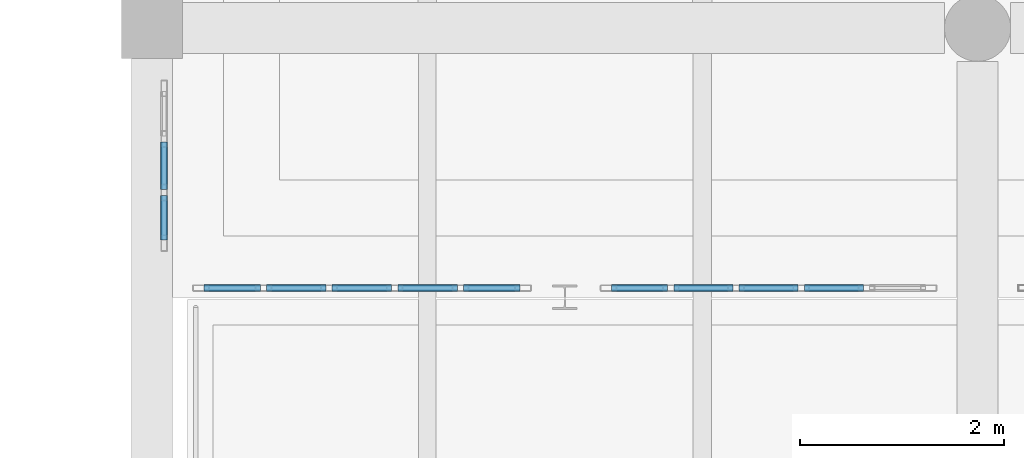
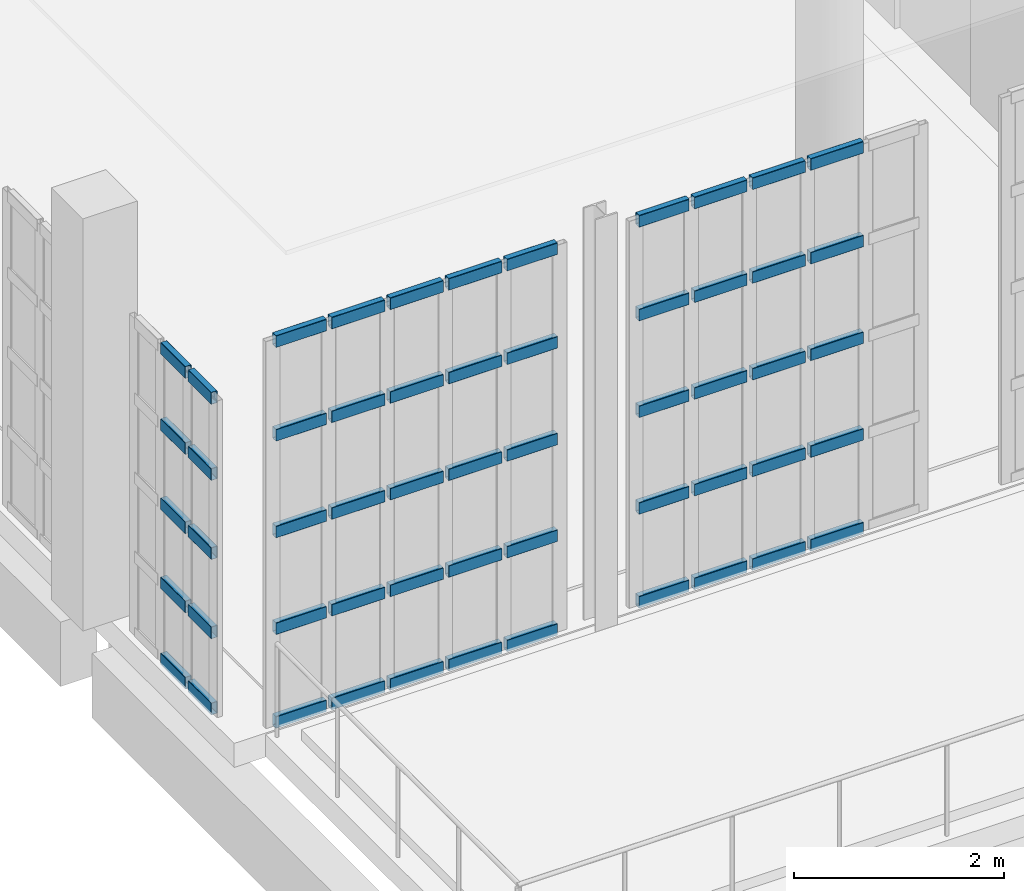
# One storey, part 59 of 104: 55 members, 3 elements without a shape of their own.
"""IFC4 building model written with IfcOpenShell, lengths in metres."""

from ifc_helpers import new_model, si_unit, direction, frame, origin, origin_2d, place, context, subcontext, project, spatial, hollow_rectangle, extrude, material, material_profile, profile_set, type_object, element, aggregate, save


model = new_model("IFC4")

# Units and contexts
model_context = context("Model", 3, precision=1e-05, world=origin(), true_north=direction((0.0, 1.0)))
body_context = subcontext(model_context, "Body", "Model", "MODEL_VIEW")
ifc_project = project(units=[si_unit("LENGTHUNIT", "METRE"), si_unit("AREAUNIT", "SQUARE_METRE"), si_unit("VOLUMEUNIT", "CUBIC_METRE"), si_unit("PLANEANGLEUNIT", "RADIAN"), si_unit("MASSUNIT", "GRAM", prefix="KILO")], contexts=[model_context])

# Site, building, storey
site_placement = place(None, origin())
site = spatial("IfcSite", under=ifc_project, at=site_placement, CompositionType="ELEMENT")
building_placement = place(site_placement, origin())
building = spatial("IfcBuilding", under=site, at=building_placement, Name="Kaelora Sail Theatre", CompositionType="ELEMENT")
storey_placement = place(building_placement, frame((0.0, 0.0, 5.39990234375)))
storey = spatial("IfcBuildingStorey", under=building, at=storey_placement, Name="L01", CompositionType="ELEMENT", Elevation=5.39990234375)

# Curtain wall, members
ifc_material_1 = material(Name="Anodised aluminium and solar-control low-E IGU", Category="aluminium")
curtain_wall_type = type_object("IfcCurtainWallType", Name="ARC-CW-CW-PROW", PredefinedType="NOTDEFINED", material=ifc_material_1)
curtain_wall_1_placement = place(storey_placement, origin())
curtain_wall_1 = element("IfcCurtainWall", 1, at=curtain_wall_1_placement, inside=storey, type_object=curtain_wall_type, Name="East Interstitial Sail Foyer Curtain Wall L01-01", PredefinedType="NOTDEFINED")
ifc_material_2 = material(Name="Anodised aluminium 6063-T6", Category="aluminium")
ifc_material_profile = material_profile(ifc_material_2, hollow_rectangle(XDim=0.070068359375, YDim=0.139892578125, WallThickness=0.00390625, InnerFilletRadius=0.00390625, OuterFilletRadius=0.008056640625, at=origin_2d()), Name="ALU-TRAN 70x140x4")
ifc_profile_set = profile_set([ifc_material_profile], Name="Anodised aluminium 6063-T6")
member_type = type_object("IfcMemberType", Name="ARC-MEM-TR-140", PredefinedType="USERDEFINED", material=ifc_profile_set)
member_1_placement = place(storey_placement, frame((107.31005859375, 43.590087890625, 0.03515625), z_axis=(1.0, 0.0, 0.0), x_axis=(0.0, 1.0, 0.0)))
member_1 = element("IfcMember", 2, at=member_1_placement, type_object=member_type, Name="CW-PROW transom 1.1", ObjectType="TRANSOM", PredefinedType="USERDEFINED", context=body_context, shape_type="SweptSolid", body=[
    extrude(hollow_rectangle(XDim=0.070068359375, YDim=0.139892578125, WallThickness=0.00390625, InnerFilletRadius=0.00390625, OuterFilletRadius=0.008056640625, at=origin_2d()), origin(), (0.0, 0.0, 1.0), 0.553955078125),
])
member_2_placement = place(storey_placement, frame((107.31005859375, 43.590087890625, 1.12646484375), z_axis=(1.0, 0.0, 0.0), x_axis=(0.0, 1.0, 0.0)))
member_2 = element("IfcMember", 3, at=member_2_placement, type_object=member_type, Name="CW-PROW transom 1.2", ObjectType="TRANSOM", PredefinedType="USERDEFINED", context=body_context, shape_type="SweptSolid", body=[
    extrude(hollow_rectangle(XDim=0.070068359375, YDim=0.139892578125, WallThickness=0.00390625, InnerFilletRadius=0.00390625, OuterFilletRadius=0.008056640625, at=origin_2d()), origin(), (0.0, 0.0, 1.0), 0.553955078125),
])
member_3_placement = place(storey_placement, frame((107.31005859375, 43.590087890625, 2.252685546875), z_axis=(1.0, 0.0, 0.0), x_axis=(0.0, 1.0, 0.0)))
member_3 = element("IfcMember", 4, at=member_3_placement, type_object=member_type, Name="CW-PROW transom 1.3", ObjectType="TRANSOM", PredefinedType="USERDEFINED", context=body_context, shape_type="SweptSolid", body=[
    extrude(hollow_rectangle(XDim=0.070068359375, YDim=0.139892578125, WallThickness=0.00390625, InnerFilletRadius=0.00390625, OuterFilletRadius=0.008056640625, at=origin_2d()), origin(), (0.0, 0.0, 1.0), 0.553955078125),
])
member_4_placement = place(storey_placement, frame((107.31005859375, 43.590087890625, 3.37890625), z_axis=(1.0, 0.0, 0.0), x_axis=(0.0, 1.0, 0.0)))
member_4 = element("IfcMember", 5, at=member_4_placement, type_object=member_type, Name="CW-PROW transom 1.4", ObjectType="TRANSOM", PredefinedType="USERDEFINED", context=body_context, shape_type="SweptSolid", body=[
    extrude(hollow_rectangle(XDim=0.070068359375, YDim=0.139892578125, WallThickness=0.00390625, InnerFilletRadius=0.00390625, OuterFilletRadius=0.008056640625, at=origin_2d()), origin(), (0.0, 0.0, 1.0), 0.553955078125),
])
member_5_placement = place(storey_placement, frame((107.31005859375, 43.590087890625, 4.47021484375), z_axis=(1.0, 0.0, 0.0), x_axis=(0.0, 1.0, 0.0)))
member_5 = element("IfcMember", 6, at=member_5_placement, type_object=member_type, Name="CW-PROW transom 1.5", ObjectType="TRANSOM", PredefinedType="USERDEFINED", context=body_context, shape_type="SweptSolid", body=[
    extrude(hollow_rectangle(XDim=0.070068359375, YDim=0.139892578125, WallThickness=0.00390625, InnerFilletRadius=0.00390625, OuterFilletRadius=0.008056640625, at=origin_2d()), origin(), (0.0, 0.0, 1.0), 0.553955078125),
])
member_6_placement = place(storey_placement, frame((107.924072265625, 43.590087890625, 0.03515625), z_axis=(1.0, 0.0, 0.0), x_axis=(0.0, 1.0, 0.0)))
member_6 = element("IfcMember", 7, at=member_6_placement, type_object=member_type, Name="CW-PROW transom 2.1", ObjectType="TRANSOM", PredefinedType="USERDEFINED", context=body_context, shape_type="SweptSolid", body=[
    extrude(hollow_rectangle(XDim=0.070068359375, YDim=0.139892578125, WallThickness=0.00390625, InnerFilletRadius=0.00390625, OuterFilletRadius=0.008056640625, at=origin_2d()), origin(), (0.0, 0.0, 1.0), 0.583984375),
])
member_7_placement = place(storey_placement, frame((107.924072265625, 43.590087890625, 1.12646484375), z_axis=(1.0, 0.0, 0.0), x_axis=(0.0, 1.0, 0.0)))
member_7 = element("IfcMember", 8, at=member_7_placement, type_object=member_type, Name="CW-PROW transom 2.2", ObjectType="TRANSOM", PredefinedType="USERDEFINED", context=body_context, shape_type="SweptSolid", body=[
    extrude(hollow_rectangle(XDim=0.070068359375, YDim=0.139892578125, WallThickness=0.00390625, InnerFilletRadius=0.00390625, OuterFilletRadius=0.008056640625, at=origin_2d()), origin(), (0.0, 0.0, 1.0), 0.583984375),
])
member_8_placement = place(storey_placement, frame((107.924072265625, 43.590087890625, 2.252685546875), z_axis=(1.0, 0.0, 0.0), x_axis=(0.0, 1.0, 0.0)))
member_8 = element("IfcMember", 9, at=member_8_placement, type_object=member_type, Name="CW-PROW transom 2.3", ObjectType="TRANSOM", PredefinedType="USERDEFINED", context=body_context, shape_type="SweptSolid", body=[
    extrude(hollow_rectangle(XDim=0.070068359375, YDim=0.139892578125, WallThickness=0.00390625, InnerFilletRadius=0.00390625, OuterFilletRadius=0.008056640625, at=origin_2d()), origin(), (0.0, 0.0, 1.0), 0.583984375),
])
member_9_placement = place(storey_placement, frame((107.924072265625, 43.590087890625, 3.37890625), z_axis=(1.0, 0.0, 0.0), x_axis=(0.0, 1.0, 0.0)))
member_9 = element("IfcMember", 10, at=member_9_placement, type_object=member_type, Name="CW-PROW transom 2.4", ObjectType="TRANSOM", PredefinedType="USERDEFINED", context=body_context, shape_type="SweptSolid", body=[
    extrude(hollow_rectangle(XDim=0.070068359375, YDim=0.139892578125, WallThickness=0.00390625, InnerFilletRadius=0.00390625, OuterFilletRadius=0.008056640625, at=origin_2d()), origin(), (0.0, 0.0, 1.0), 0.583984375),
])
member_10_placement = place(storey_placement, frame((107.924072265625, 43.590087890625, 4.47021484375), z_axis=(1.0, 0.0, 0.0), x_axis=(0.0, 1.0, 0.0)))
member_10 = element("IfcMember", 11, at=member_10_placement, type_object=member_type, Name="CW-PROW transom 2.5", ObjectType="TRANSOM", PredefinedType="USERDEFINED", context=body_context, shape_type="SweptSolid", body=[
    extrude(hollow_rectangle(XDim=0.070068359375, YDim=0.139892578125, WallThickness=0.00390625, InnerFilletRadius=0.00390625, OuterFilletRadius=0.008056640625, at=origin_2d()), origin(), (0.0, 0.0, 1.0), 0.583984375),
])
member_11_placement = place(storey_placement, frame((108.568115234375, 43.590087890625, 0.03515625), z_axis=(1.0, 0.0, 0.0), x_axis=(0.0, 1.0, 0.0)))
member_11 = element("IfcMember", 12, at=member_11_placement, type_object=member_type, Name="CW-PROW transom 3.1", ObjectType="TRANSOM", PredefinedType="USERDEFINED", context=body_context, shape_type="SweptSolid", body=[
    extrude(hollow_rectangle(XDim=0.070068359375, YDim=0.139892578125, WallThickness=0.00390625, InnerFilletRadius=0.00390625, OuterFilletRadius=0.008056640625, at=origin_2d()), origin(), (0.0, 0.0, 1.0), 0.583984375),
])
member_12_placement = place(storey_placement, frame((108.568115234375, 43.590087890625, 1.12646484375), z_axis=(1.0, 0.0, 0.0), x_axis=(0.0, 1.0, 0.0)))
member_12 = element("IfcMember", 13, at=member_12_placement, type_object=member_type, Name="CW-PROW transom 3.2", ObjectType="TRANSOM", PredefinedType="USERDEFINED", context=body_context, shape_type="SweptSolid", body=[
    extrude(hollow_rectangle(XDim=0.070068359375, YDim=0.139892578125, WallThickness=0.00390625, InnerFilletRadius=0.00390625, OuterFilletRadius=0.008056640625, at=origin_2d()), origin(), (0.0, 0.0, 1.0), 0.583984375),
])
member_13_placement = place(storey_placement, frame((108.568115234375, 43.590087890625, 2.252685546875), z_axis=(1.0, 0.0, 0.0), x_axis=(0.0, 1.0, 0.0)))
member_13 = element("IfcMember", 14, at=member_13_placement, type_object=member_type, Name="CW-PROW transom 3.3", ObjectType="TRANSOM", PredefinedType="USERDEFINED", context=body_context, shape_type="SweptSolid", body=[
    extrude(hollow_rectangle(XDim=0.070068359375, YDim=0.139892578125, WallThickness=0.00390625, InnerFilletRadius=0.00390625, OuterFilletRadius=0.008056640625, at=origin_2d()), origin(), (0.0, 0.0, 1.0), 0.583984375),
])
member_14_placement = place(storey_placement, frame((108.568115234375, 43.590087890625, 3.37890625), z_axis=(1.0, 0.0, 0.0), x_axis=(0.0, 1.0, 0.0)))
member_14 = element("IfcMember", 15, at=member_14_placement, type_object=member_type, Name="CW-PROW transom 3.4", ObjectType="TRANSOM", PredefinedType="USERDEFINED", context=body_context, shape_type="SweptSolid", body=[
    extrude(hollow_rectangle(XDim=0.070068359375, YDim=0.139892578125, WallThickness=0.00390625, InnerFilletRadius=0.00390625, OuterFilletRadius=0.008056640625, at=origin_2d()), origin(), (0.0, 0.0, 1.0), 0.583984375),
])
member_15_placement = place(storey_placement, frame((108.568115234375, 43.590087890625, 4.47021484375), z_axis=(1.0, 0.0, 0.0), x_axis=(0.0, 1.0, 0.0)))
member_15 = element("IfcMember", 16, at=member_15_placement, type_object=member_type, Name="CW-PROW transom 3.5", ObjectType="TRANSOM", PredefinedType="USERDEFINED", context=body_context, shape_type="SweptSolid", body=[
    extrude(hollow_rectangle(XDim=0.070068359375, YDim=0.139892578125, WallThickness=0.00390625, InnerFilletRadius=0.00390625, OuterFilletRadius=0.008056640625, at=origin_2d()), origin(), (0.0, 0.0, 1.0), 0.583984375),
])
member_16_placement = place(storey_placement, frame((109.2119140625, 43.590087890625, 0.03515625), z_axis=(1.0, 0.0, 0.0), x_axis=(0.0, 1.0, 0.0)))
member_16 = element("IfcMember", 17, at=member_16_placement, type_object=member_type, Name="CW-PROW transom 4.1", ObjectType="TRANSOM", PredefinedType="USERDEFINED", context=body_context, shape_type="SweptSolid", body=[
    extrude(hollow_rectangle(XDim=0.070068359375, YDim=0.139892578125, WallThickness=0.00390625, InnerFilletRadius=0.00390625, OuterFilletRadius=0.008056640625, at=origin_2d()), origin(), (0.0, 0.0, 1.0), 0.583984375),
])
member_17_placement = place(storey_placement, frame((109.2119140625, 43.590087890625, 1.12646484375), z_axis=(1.0, 0.0, 0.0), x_axis=(0.0, 1.0, 0.0)))
member_17 = element("IfcMember", 18, at=member_17_placement, type_object=member_type, Name="CW-PROW transom 4.2", ObjectType="TRANSOM", PredefinedType="USERDEFINED", context=body_context, shape_type="SweptSolid", body=[
    extrude(hollow_rectangle(XDim=0.070068359375, YDim=0.139892578125, WallThickness=0.00390625, InnerFilletRadius=0.00390625, OuterFilletRadius=0.008056640625, at=origin_2d()), origin(), (0.0, 0.0, 1.0), 0.583984375),
])
member_18_placement = place(storey_placement, frame((109.2119140625, 43.590087890625, 2.252685546875), z_axis=(1.0, 0.0, 0.0), x_axis=(0.0, 1.0, 0.0)))
member_18 = element("IfcMember", 19, at=member_18_placement, type_object=member_type, Name="CW-PROW transom 4.3", ObjectType="TRANSOM", PredefinedType="USERDEFINED", context=body_context, shape_type="SweptSolid", body=[
    extrude(hollow_rectangle(XDim=0.070068359375, YDim=0.139892578125, WallThickness=0.00390625, InnerFilletRadius=0.00390625, OuterFilletRadius=0.008056640625, at=origin_2d()), origin(), (0.0, 0.0, 1.0), 0.583984375),
])
member_19_placement = place(storey_placement, frame((109.2119140625, 43.590087890625, 3.37890625), z_axis=(1.0, 0.0, 0.0), x_axis=(0.0, 1.0, 0.0)))
member_19 = element("IfcMember", 20, at=member_19_placement, type_object=member_type, Name="CW-PROW transom 4.4", ObjectType="TRANSOM", PredefinedType="USERDEFINED", context=body_context, shape_type="SweptSolid", body=[
    extrude(hollow_rectangle(XDim=0.070068359375, YDim=0.139892578125, WallThickness=0.00390625, InnerFilletRadius=0.00390625, OuterFilletRadius=0.008056640625, at=origin_2d()), origin(), (0.0, 0.0, 1.0), 0.583984375),
])
member_20_placement = place(storey_placement, frame((109.2119140625, 43.590087890625, 4.47021484375), z_axis=(1.0, 0.0, 0.0), x_axis=(0.0, 1.0, 0.0)))
member_20 = element("IfcMember", 21, at=member_20_placement, type_object=member_type, Name="CW-PROW transom 4.5", ObjectType="TRANSOM", PredefinedType="USERDEFINED", context=body_context, shape_type="SweptSolid", body=[
    extrude(hollow_rectangle(XDim=0.070068359375, YDim=0.139892578125, WallThickness=0.00390625, InnerFilletRadius=0.00390625, OuterFilletRadius=0.008056640625, at=origin_2d()), origin(), (0.0, 0.0, 1.0), 0.583984375),
])
member_21_placement = place(storey_placement, frame((109.85595703125, 43.590087890625, 0.03515625), z_axis=(1.0, 0.0, 0.0), x_axis=(0.0, 1.0, 0.0)))
member_21 = element("IfcMember", 22, at=member_21_placement, type_object=member_type, Name="CW-PROW transom 5.1", ObjectType="TRANSOM", PredefinedType="USERDEFINED", context=body_context, shape_type="SweptSolid", body=[
    extrude(hollow_rectangle(XDim=0.070068359375, YDim=0.139892578125, WallThickness=0.00390625, InnerFilletRadius=0.00390625, OuterFilletRadius=0.008056640625, at=origin_2d()), origin(), (0.0, 0.0, 1.0), 0.553955078125),
])
member_22_placement = place(storey_placement, frame((109.85595703125, 43.590087890625, 1.12646484375), z_axis=(1.0, 0.0, 0.0), x_axis=(0.0, 1.0, 0.0)))
member_22 = element("IfcMember", 23, at=member_22_placement, type_object=member_type, Name="CW-PROW transom 5.2", ObjectType="TRANSOM", PredefinedType="USERDEFINED", context=body_context, shape_type="SweptSolid", body=[
    extrude(hollow_rectangle(XDim=0.070068359375, YDim=0.139892578125, WallThickness=0.00390625, InnerFilletRadius=0.00390625, OuterFilletRadius=0.008056640625, at=origin_2d()), origin(), (0.0, 0.0, 1.0), 0.553955078125),
])
member_23_placement = place(storey_placement, frame((109.85595703125, 43.590087890625, 2.252685546875), z_axis=(1.0, 0.0, 0.0), x_axis=(0.0, 1.0, 0.0)))
member_23 = element("IfcMember", 24, at=member_23_placement, type_object=member_type, Name="CW-PROW transom 5.3", ObjectType="TRANSOM", PredefinedType="USERDEFINED", context=body_context, shape_type="SweptSolid", body=[
    extrude(hollow_rectangle(XDim=0.070068359375, YDim=0.139892578125, WallThickness=0.00390625, InnerFilletRadius=0.00390625, OuterFilletRadius=0.008056640625, at=origin_2d()), origin(), (0.0, 0.0, 1.0), 0.553955078125),
])
member_24_placement = place(storey_placement, frame((109.85595703125, 43.590087890625, 3.37890625), z_axis=(1.0, 0.0, 0.0), x_axis=(0.0, 1.0, 0.0)))
member_24 = element("IfcMember", 25, at=member_24_placement, type_object=member_type, Name="CW-PROW transom 5.4", ObjectType="TRANSOM", PredefinedType="USERDEFINED", context=body_context, shape_type="SweptSolid", body=[
    extrude(hollow_rectangle(XDim=0.070068359375, YDim=0.139892578125, WallThickness=0.00390625, InnerFilletRadius=0.00390625, OuterFilletRadius=0.008056640625, at=origin_2d()), origin(), (0.0, 0.0, 1.0), 0.553955078125),
])
member_25_placement = place(storey_placement, frame((109.85595703125, 43.590087890625, 4.47021484375), z_axis=(1.0, 0.0, 0.0), x_axis=(0.0, 1.0, 0.0)))
member_25 = element("IfcMember", 26, at=member_25_placement, type_object=member_type, Name="CW-PROW transom 5.5", ObjectType="TRANSOM", PredefinedType="USERDEFINED", context=body_context, shape_type="SweptSolid", body=[
    extrude(hollow_rectangle(XDim=0.070068359375, YDim=0.139892578125, WallThickness=0.00390625, InnerFilletRadius=0.00390625, OuterFilletRadius=0.008056640625, at=origin_2d()), origin(), (0.0, 0.0, 1.0), 0.553955078125),
])
aggregate(curtain_wall_1, [member_1, member_2, member_3, member_4, member_5, member_6, member_7, member_8, member_9, member_10, member_11, member_12, member_13, member_14, member_15, member_16, member_17, member_18, member_19, member_20, member_21, member_22, member_23, member_24, member_25])

curtain_wall_2_placement = place(storey_placement, origin())
curtain_wall_2 = element("IfcCurtainWall", 27, at=curtain_wall_2_placement, inside=storey, type_object=curtain_wall_type, Name="East Interstitial Sail Foyer Curtain Wall L01-02", PredefinedType="NOTDEFINED")
member_26_placement = place(storey_placement, frame((111.31005859375, 43.590087890625, 0.03515625), z_axis=(1.0, 0.0, 0.0), x_axis=(0.0, 1.0, 0.0)))
member_26 = element("IfcMember", 28, at=member_26_placement, type_object=member_type, Name="CW-PROW transom 1.1", ObjectType="TRANSOM", PredefinedType="USERDEFINED", context=body_context, shape_type="SweptSolid", body=[
    extrude(hollow_rectangle(XDim=0.070068359375, YDim=0.139892578125, WallThickness=0.00390625, InnerFilletRadius=0.00390625, OuterFilletRadius=0.008056640625, at=origin_2d()), origin(), (0.0, 0.0, 1.0), 0.550048828125),
])
member_27_placement = place(storey_placement, frame((111.31005859375, 43.590087890625, 1.12646484375), z_axis=(1.0, 0.0, 0.0), x_axis=(0.0, 1.0, 0.0)))
member_27 = element("IfcMember", 29, at=member_27_placement, type_object=member_type, Name="CW-PROW transom 1.2", ObjectType="TRANSOM", PredefinedType="USERDEFINED", context=body_context, shape_type="SweptSolid", body=[
    extrude(hollow_rectangle(XDim=0.070068359375, YDim=0.139892578125, WallThickness=0.00390625, InnerFilletRadius=0.00390625, OuterFilletRadius=0.008056640625, at=origin_2d()), origin(), (0.0, 0.0, 1.0), 0.550048828125),
])
member_28_placement = place(storey_placement, frame((111.31005859375, 43.590087890625, 2.252685546875), z_axis=(1.0, 0.0, 0.0), x_axis=(0.0, 1.0, 0.0)))
member_28 = element("IfcMember", 30, at=member_28_placement, type_object=member_type, Name="CW-PROW transom 1.3", ObjectType="TRANSOM", PredefinedType="USERDEFINED", context=body_context, shape_type="SweptSolid", body=[
    extrude(hollow_rectangle(XDim=0.070068359375, YDim=0.139892578125, WallThickness=0.00390625, InnerFilletRadius=0.00390625, OuterFilletRadius=0.008056640625, at=origin_2d()), origin(), (0.0, 0.0, 1.0), 0.550048828125),
])
member_29_placement = place(storey_placement, frame((111.31005859375, 43.590087890625, 3.37890625), z_axis=(1.0, 0.0, 0.0), x_axis=(0.0, 1.0, 0.0)))
member_29 = element("IfcMember", 31, at=member_29_placement, type_object=member_type, Name="CW-PROW transom 1.4", ObjectType="TRANSOM", PredefinedType="USERDEFINED", context=body_context, shape_type="SweptSolid", body=[
    extrude(hollow_rectangle(XDim=0.070068359375, YDim=0.139892578125, WallThickness=0.00390625, InnerFilletRadius=0.00390625, OuterFilletRadius=0.008056640625, at=origin_2d()), origin(), (0.0, 0.0, 1.0), 0.550048828125),
])
member_30_placement = place(storey_placement, frame((111.31005859375, 43.590087890625, 4.47021484375), z_axis=(1.0, 0.0, 0.0), x_axis=(0.0, 1.0, 0.0)))
member_30 = element("IfcMember", 32, at=member_30_placement, type_object=member_type, Name="CW-PROW transom 1.5", ObjectType="TRANSOM", PredefinedType="USERDEFINED", context=body_context, shape_type="SweptSolid", body=[
    extrude(hollow_rectangle(XDim=0.070068359375, YDim=0.139892578125, WallThickness=0.00390625, InnerFilletRadius=0.00390625, OuterFilletRadius=0.008056640625, at=origin_2d()), origin(), (0.0, 0.0, 1.0), 0.550048828125),
])
member_31_placement = place(storey_placement, frame((111.919921875, 43.590087890625, 0.03515625), z_axis=(1.0, 0.0, 0.0), x_axis=(0.0, 1.0, 0.0)))
member_31 = element("IfcMember", 33, at=member_31_placement, type_object=member_type, Name="CW-PROW transom 2.1", ObjectType="TRANSOM", PredefinedType="USERDEFINED", context=body_context, shape_type="SweptSolid", body=[
    extrude(hollow_rectangle(XDim=0.070068359375, YDim=0.139892578125, WallThickness=0.00390625, InnerFilletRadius=0.00390625, OuterFilletRadius=0.008056640625, at=origin_2d()), origin(), (0.0, 0.0, 1.0), 0.580078125),
])
member_32_placement = place(storey_placement, frame((111.919921875, 43.590087890625, 1.12646484375), z_axis=(1.0, 0.0, 0.0), x_axis=(0.0, 1.0, 0.0)))
member_32 = element("IfcMember", 34, at=member_32_placement, type_object=member_type, Name="CW-PROW transom 2.2", ObjectType="TRANSOM", PredefinedType="USERDEFINED", context=body_context, shape_type="SweptSolid", body=[
    extrude(hollow_rectangle(XDim=0.070068359375, YDim=0.139892578125, WallThickness=0.00390625, InnerFilletRadius=0.00390625, OuterFilletRadius=0.008056640625, at=origin_2d()), origin(), (0.0, 0.0, 1.0), 0.580078125),
])
member_33_placement = place(storey_placement, frame((111.919921875, 43.590087890625, 2.252685546875), z_axis=(1.0, 0.0, 0.0), x_axis=(0.0, 1.0, 0.0)))
member_33 = element("IfcMember", 35, at=member_33_placement, type_object=member_type, Name="CW-PROW transom 2.3", ObjectType="TRANSOM", PredefinedType="USERDEFINED", context=body_context, shape_type="SweptSolid", body=[
    extrude(hollow_rectangle(XDim=0.070068359375, YDim=0.139892578125, WallThickness=0.00390625, InnerFilletRadius=0.00390625, OuterFilletRadius=0.008056640625, at=origin_2d()), origin(), (0.0, 0.0, 1.0), 0.580078125),
])
member_34_placement = place(storey_placement, frame((111.919921875, 43.590087890625, 3.37890625), z_axis=(1.0, 0.0, 0.0), x_axis=(0.0, 1.0, 0.0)))
member_34 = element("IfcMember", 36, at=member_34_placement, type_object=member_type, Name="CW-PROW transom 2.4", ObjectType="TRANSOM", PredefinedType="USERDEFINED", context=body_context, shape_type="SweptSolid", body=[
    extrude(hollow_rectangle(XDim=0.070068359375, YDim=0.139892578125, WallThickness=0.00390625, InnerFilletRadius=0.00390625, OuterFilletRadius=0.008056640625, at=origin_2d()), origin(), (0.0, 0.0, 1.0), 0.580078125),
])
member_35_placement = place(storey_placement, frame((111.919921875, 43.590087890625, 4.47021484375), z_axis=(1.0, 0.0, 0.0), x_axis=(0.0, 1.0, 0.0)))
member_35 = element("IfcMember", 37, at=member_35_placement, type_object=member_type, Name="CW-PROW transom 2.5", ObjectType="TRANSOM", PredefinedType="USERDEFINED", context=body_context, shape_type="SweptSolid", body=[
    extrude(hollow_rectangle(XDim=0.070068359375, YDim=0.139892578125, WallThickness=0.00390625, InnerFilletRadius=0.00390625, OuterFilletRadius=0.008056640625, at=origin_2d()), origin(), (0.0, 0.0, 1.0), 0.580078125),
])
member_36_placement = place(storey_placement, frame((112.56005859375, 43.590087890625, 0.03515625), z_axis=(1.0, 0.0, 0.0), x_axis=(0.0, 1.0, 0.0)))
member_36 = element("IfcMember", 38, at=member_36_placement, type_object=member_type, Name="CW-PROW transom 3.1", ObjectType="TRANSOM", PredefinedType="USERDEFINED", context=body_context, shape_type="SweptSolid", body=[
    extrude(hollow_rectangle(XDim=0.070068359375, YDim=0.139892578125, WallThickness=0.00390625, InnerFilletRadius=0.00390625, OuterFilletRadius=0.008056640625, at=origin_2d()), origin(), (0.0, 0.0, 1.0), 0.579833984375),
])
member_37_placement = place(storey_placement, frame((112.56005859375, 43.590087890625, 1.12646484375), z_axis=(1.0, 0.0, 0.0), x_axis=(0.0, 1.0, 0.0)))
member_37 = element("IfcMember", 39, at=member_37_placement, type_object=member_type, Name="CW-PROW transom 3.2", ObjectType="TRANSOM", PredefinedType="USERDEFINED", context=body_context, shape_type="SweptSolid", body=[
    extrude(hollow_rectangle(XDim=0.070068359375, YDim=0.139892578125, WallThickness=0.00390625, InnerFilletRadius=0.00390625, OuterFilletRadius=0.008056640625, at=origin_2d()), origin(), (0.0, 0.0, 1.0), 0.579833984375),
])
member_38_placement = place(storey_placement, frame((112.56005859375, 43.590087890625, 2.252685546875), z_axis=(1.0, 0.0, 0.0), x_axis=(0.0, 1.0, 0.0)))
member_38 = element("IfcMember", 40, at=member_38_placement, type_object=member_type, Name="CW-PROW transom 3.3", ObjectType="TRANSOM", PredefinedType="USERDEFINED", context=body_context, shape_type="SweptSolid", body=[
    extrude(hollow_rectangle(XDim=0.070068359375, YDim=0.139892578125, WallThickness=0.00390625, InnerFilletRadius=0.00390625, OuterFilletRadius=0.008056640625, at=origin_2d()), origin(), (0.0, 0.0, 1.0), 0.579833984375),
])
member_39_placement = place(storey_placement, frame((112.56005859375, 43.590087890625, 3.37890625), z_axis=(1.0, 0.0, 0.0), x_axis=(0.0, 1.0, 0.0)))
member_39 = element("IfcMember", 41, at=member_39_placement, type_object=member_type, Name="CW-PROW transom 3.4", ObjectType="TRANSOM", PredefinedType="USERDEFINED", context=body_context, shape_type="SweptSolid", body=[
    extrude(hollow_rectangle(XDim=0.070068359375, YDim=0.139892578125, WallThickness=0.00390625, InnerFilletRadius=0.00390625, OuterFilletRadius=0.008056640625, at=origin_2d()), origin(), (0.0, 0.0, 1.0), 0.579833984375),
])
member_40_placement = place(storey_placement, frame((112.56005859375, 43.590087890625, 4.47021484375), z_axis=(1.0, 0.0, 0.0), x_axis=(0.0, 1.0, 0.0)))
member_40 = element("IfcMember", 42, at=member_40_placement, type_object=member_type, Name="CW-PROW transom 3.5", ObjectType="TRANSOM", PredefinedType="USERDEFINED", context=body_context, shape_type="SweptSolid", body=[
    extrude(hollow_rectangle(XDim=0.070068359375, YDim=0.139892578125, WallThickness=0.00390625, InnerFilletRadius=0.00390625, OuterFilletRadius=0.008056640625, at=origin_2d()), origin(), (0.0, 0.0, 1.0), 0.579833984375),
])
member_41_placement = place(storey_placement, frame((113.199951171875, 43.590087890625, 0.03515625), z_axis=(1.0, 0.0, 0.0), x_axis=(0.0, 1.0, 0.0)))
member_41 = element("IfcMember", 43, at=member_41_placement, type_object=member_type, Name="CW-PROW transom 4.1", ObjectType="TRANSOM", PredefinedType="USERDEFINED", context=body_context, shape_type="SweptSolid", body=[
    extrude(hollow_rectangle(XDim=0.070068359375, YDim=0.139892578125, WallThickness=0.00390625, InnerFilletRadius=0.00390625, OuterFilletRadius=0.008056640625, at=origin_2d()), origin(), (0.0, 0.0, 1.0), 0.580078125),
])
member_42_placement = place(storey_placement, frame((113.199951171875, 43.590087890625, 1.12646484375), z_axis=(1.0, 0.0, 0.0), x_axis=(0.0, 1.0, 0.0)))
member_42 = element("IfcMember", 44, at=member_42_placement, type_object=member_type, Name="CW-PROW transom 4.2", ObjectType="TRANSOM", PredefinedType="USERDEFINED", context=body_context, shape_type="SweptSolid", body=[
    extrude(hollow_rectangle(XDim=0.070068359375, YDim=0.139892578125, WallThickness=0.00390625, InnerFilletRadius=0.00390625, OuterFilletRadius=0.008056640625, at=origin_2d()), origin(), (0.0, 0.0, 1.0), 0.580078125),
])
member_43_placement = place(storey_placement, frame((113.199951171875, 43.590087890625, 2.252685546875), z_axis=(1.0, 0.0, 0.0), x_axis=(0.0, 1.0, 0.0)))
member_43 = element("IfcMember", 45, at=member_43_placement, type_object=member_type, Name="CW-PROW transom 4.3", ObjectType="TRANSOM", PredefinedType="USERDEFINED", context=body_context, shape_type="SweptSolid", body=[
    extrude(hollow_rectangle(XDim=0.070068359375, YDim=0.139892578125, WallThickness=0.00390625, InnerFilletRadius=0.00390625, OuterFilletRadius=0.008056640625, at=origin_2d()), origin(), (0.0, 0.0, 1.0), 0.580078125),
])
member_44_placement = place(storey_placement, frame((113.199951171875, 43.590087890625, 3.37890625), z_axis=(1.0, 0.0, 0.0), x_axis=(0.0, 1.0, 0.0)))
member_44 = element("IfcMember", 46, at=member_44_placement, type_object=member_type, Name="CW-PROW transom 4.4", ObjectType="TRANSOM", PredefinedType="USERDEFINED", context=body_context, shape_type="SweptSolid", body=[
    extrude(hollow_rectangle(XDim=0.070068359375, YDim=0.139892578125, WallThickness=0.00390625, InnerFilletRadius=0.00390625, OuterFilletRadius=0.008056640625, at=origin_2d()), origin(), (0.0, 0.0, 1.0), 0.580078125),
])
member_45_placement = place(storey_placement, frame((113.199951171875, 43.590087890625, 4.47021484375), z_axis=(1.0, 0.0, 0.0), x_axis=(0.0, 1.0, 0.0)))
member_45 = element("IfcMember", 47, at=member_45_placement, type_object=member_type, Name="CW-PROW transom 4.5", ObjectType="TRANSOM", PredefinedType="USERDEFINED", context=body_context, shape_type="SweptSolid", body=[
    extrude(hollow_rectangle(XDim=0.070068359375, YDim=0.139892578125, WallThickness=0.00390625, InnerFilletRadius=0.00390625, OuterFilletRadius=0.008056640625, at=origin_2d()), origin(), (0.0, 0.0, 1.0), 0.580078125),
])
aggregate(curtain_wall_2, [member_26, member_27, member_28, member_29, member_30, member_31, member_32, member_33, member_34, member_35, member_36, member_37, member_38, member_39, member_40, member_41, member_42, member_43, member_44, member_45])

curtain_wall_3_placement = place(storey_placement, origin())
curtain_wall_3 = element("IfcCurtainWall", 48, at=curtain_wall_3_placement, inside=storey, type_object=curtain_wall_type, Name="East Interstitial Foyer West Glazed Return L01-01", PredefinedType="NOTDEFINED")
member_46_placement = place(storey_placement, frame((106.919921875, 44.06005859375, 0.03515625), z_axis=(0.0, 1.0, 0.0), x_axis=(-1.0, 0.0, 0.0)))
member_46 = element("IfcMember", 49, at=member_46_placement, type_object=member_type, Name="CW-PROW transom 1.1", ObjectType="TRANSOM", PredefinedType="USERDEFINED", context=body_context, shape_type="SweptSolid", body=[
    extrude(hollow_rectangle(XDim=0.070068359375, YDim=0.139892578125, WallThickness=0.00390625, InnerFilletRadius=0.00390625, OuterFilletRadius=0.008056640625, at=origin_2d()), origin(), (0.0, 0.0, 1.0), 0.4365234375),
])
member_47_placement = place(storey_placement, frame((106.919921875, 44.06005859375, 0.921875), z_axis=(0.0, 1.0, 0.0), x_axis=(-1.0, 0.0, 0.0)))
member_47 = element("IfcMember", 50, at=member_47_placement, type_object=member_type, Name="CW-PROW transom 1.2", ObjectType="TRANSOM", PredefinedType="USERDEFINED", context=body_context, shape_type="SweptSolid", body=[
    extrude(hollow_rectangle(XDim=0.070068359375, YDim=0.139892578125, WallThickness=0.00390625, InnerFilletRadius=0.00390625, OuterFilletRadius=0.008056640625, at=origin_2d()), origin(), (0.0, 0.0, 1.0), 0.4365234375),
])
member_48_placement = place(storey_placement, frame((106.919921875, 44.06005859375, 1.843505859375), z_axis=(0.0, 1.0, 0.0), x_axis=(-1.0, 0.0, 0.0)))
member_48 = element("IfcMember", 51, at=member_48_placement, type_object=member_type, Name="CW-PROW transom 1.3", ObjectType="TRANSOM", PredefinedType="USERDEFINED", context=body_context, shape_type="SweptSolid", body=[
    extrude(hollow_rectangle(XDim=0.070068359375, YDim=0.139892578125, WallThickness=0.00390625, InnerFilletRadius=0.00390625, OuterFilletRadius=0.008056640625, at=origin_2d()), origin(), (0.0, 0.0, 1.0), 0.4365234375),
])
member_49_placement = place(storey_placement, frame((106.919921875, 44.06005859375, 2.765380859375), z_axis=(0.0, 1.0, 0.0), x_axis=(-1.0, 0.0, 0.0)))
member_49 = element("IfcMember", 52, at=member_49_placement, type_object=member_type, Name="CW-PROW transom 1.4", ObjectType="TRANSOM", PredefinedType="USERDEFINED", context=body_context, shape_type="SweptSolid", body=[
    extrude(hollow_rectangle(XDim=0.070068359375, YDim=0.139892578125, WallThickness=0.00390625, InnerFilletRadius=0.00390625, OuterFilletRadius=0.008056640625, at=origin_2d()), origin(), (0.0, 0.0, 1.0), 0.4365234375),
])
member_50_placement = place(storey_placement, frame((106.919921875, 44.06005859375, 3.652099609375), z_axis=(0.0, 1.0, 0.0), x_axis=(-1.0, 0.0, 0.0)))
member_50 = element("IfcMember", 53, at=member_50_placement, type_object=member_type, Name="CW-PROW transom 1.5", ObjectType="TRANSOM", PredefinedType="USERDEFINED", context=body_context, shape_type="SweptSolid", body=[
    extrude(hollow_rectangle(XDim=0.070068359375, YDim=0.139892578125, WallThickness=0.00390625, InnerFilletRadius=0.00390625, OuterFilletRadius=0.008056640625, at=origin_2d()), origin(), (0.0, 0.0, 1.0), 0.4365234375),
])
member_51_placement = place(storey_placement, frame((106.919921875, 44.556640625, 0.03515625), z_axis=(0.0, 1.0, 0.0), x_axis=(-1.0, 0.0, 0.0)))
member_51 = element("IfcMember", 54, at=member_51_placement, type_object=member_type, Name="CW-PROW transom 2.1", ObjectType="TRANSOM", PredefinedType="USERDEFINED", context=body_context, shape_type="SweptSolid", body=[
    extrude(hollow_rectangle(XDim=0.070068359375, YDim=0.139892578125, WallThickness=0.00390625, InnerFilletRadius=0.00390625, OuterFilletRadius=0.008056640625, at=origin_2d()), origin(), (0.0, 0.0, 1.0), 0.466796875),
])
member_52_placement = place(storey_placement, frame((106.919921875, 44.556640625, 0.921875), z_axis=(0.0, 1.0, 0.0), x_axis=(-1.0, 0.0, 0.0)))
member_52 = element("IfcMember", 55, at=member_52_placement, type_object=member_type, Name="CW-PROW transom 2.2", ObjectType="TRANSOM", PredefinedType="USERDEFINED", context=body_context, shape_type="SweptSolid", body=[
    extrude(hollow_rectangle(XDim=0.070068359375, YDim=0.139892578125, WallThickness=0.00390625, InnerFilletRadius=0.00390625, OuterFilletRadius=0.008056640625, at=origin_2d()), origin(), (0.0, 0.0, 1.0), 0.466796875),
])
member_53_placement = place(storey_placement, frame((106.919921875, 44.556640625, 1.843505859375), z_axis=(0.0, 1.0, 0.0), x_axis=(-1.0, 0.0, 0.0)))
member_53 = element("IfcMember", 56, at=member_53_placement, type_object=member_type, Name="CW-PROW transom 2.3", ObjectType="TRANSOM", PredefinedType="USERDEFINED", context=body_context, shape_type="SweptSolid", body=[
    extrude(hollow_rectangle(XDim=0.070068359375, YDim=0.139892578125, WallThickness=0.00390625, InnerFilletRadius=0.00390625, OuterFilletRadius=0.008056640625, at=origin_2d()), origin(), (0.0, 0.0, 1.0), 0.466796875),
])
member_54_placement = place(storey_placement, frame((106.919921875, 44.556640625, 2.765380859375), z_axis=(0.0, 1.0, 0.0), x_axis=(-1.0, 0.0, 0.0)))
member_54 = element("IfcMember", 57, at=member_54_placement, type_object=member_type, Name="CW-PROW transom 2.4", ObjectType="TRANSOM", PredefinedType="USERDEFINED", context=body_context, shape_type="SweptSolid", body=[
    extrude(hollow_rectangle(XDim=0.070068359375, YDim=0.139892578125, WallThickness=0.00390625, InnerFilletRadius=0.00390625, OuterFilletRadius=0.008056640625, at=origin_2d()), origin(), (0.0, 0.0, 1.0), 0.466796875),
])
member_55_placement = place(storey_placement, frame((106.919921875, 44.556640625, 3.652099609375), z_axis=(0.0, 1.0, 0.0), x_axis=(-1.0, 0.0, 0.0)))
member_55 = element("IfcMember", 58, at=member_55_placement, type_object=member_type, Name="CW-PROW transom 2.5", ObjectType="TRANSOM", PredefinedType="USERDEFINED", context=body_context, shape_type="SweptSolid", body=[
    extrude(hollow_rectangle(XDim=0.070068359375, YDim=0.139892578125, WallThickness=0.00390625, InnerFilletRadius=0.00390625, OuterFilletRadius=0.008056640625, at=origin_2d()), origin(), (0.0, 0.0, 1.0), 0.466796875),
])
aggregate(curtain_wall_3, [member_46, member_47, member_48, member_49, member_50, member_51, member_52, member_53, member_54, member_55])

save(model, "model.ifc")
